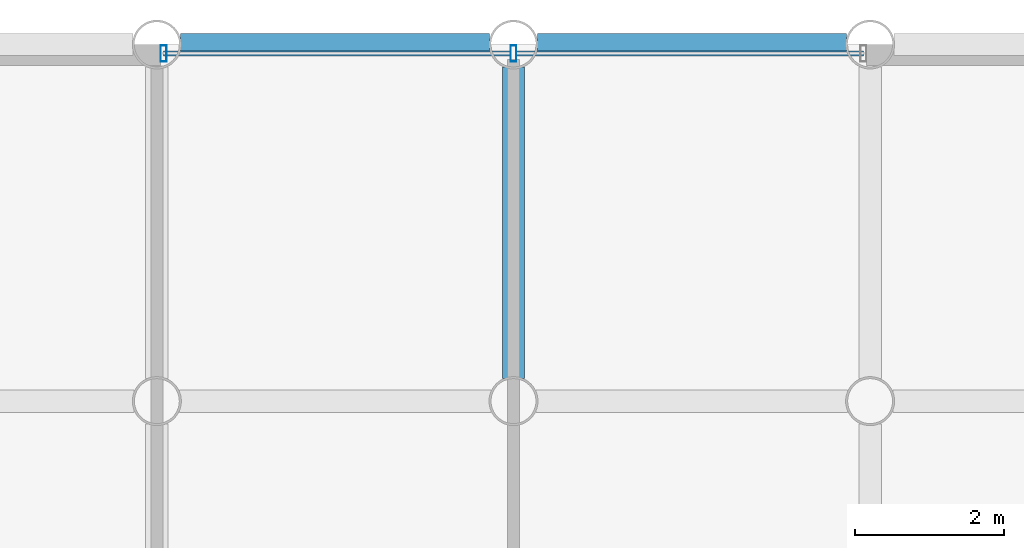
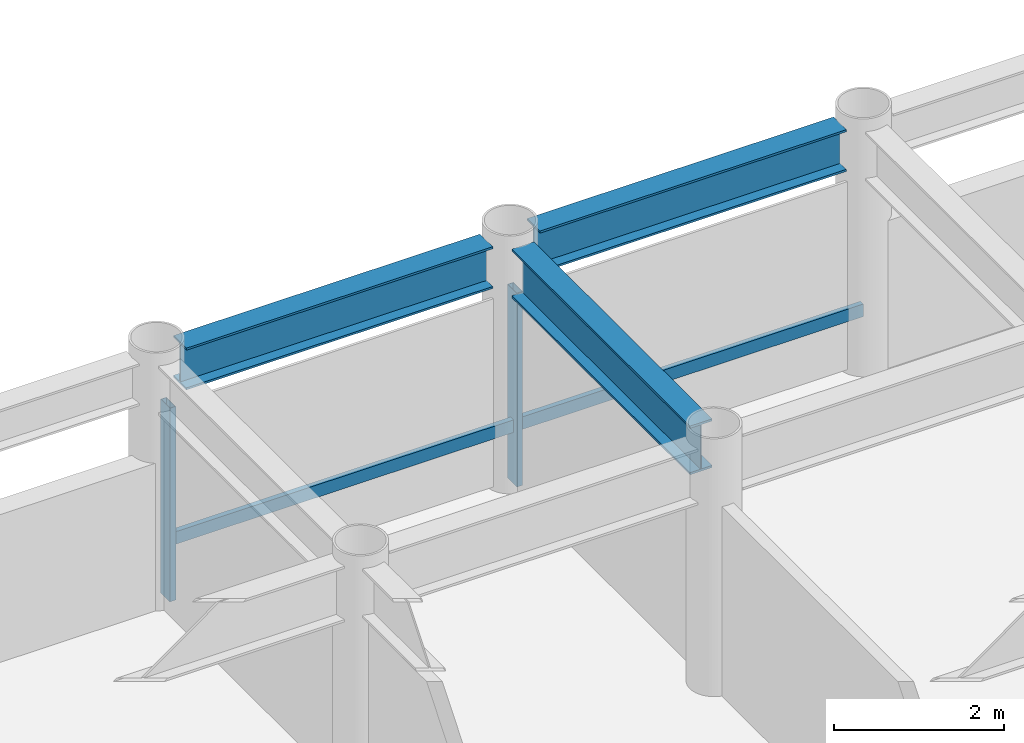
# One storey, part 12 of 20: 4 members, 3 beams, 1 element without a shape of its own.
"""IFC4 building model written with IfcOpenShell, lengths in metres."""

import ifcopenshell
import ifcopenshell.guid

model = None  # the IFC model being written
_history = None  # IfcOwnerHistory: only IFC2X3 demands one
_inside = {}  # id of a spatial element -> (the spatial element, [elements in it])
_under = {}  # id of a project, library or spatial element -> (it, [spatial elements below it])
_declared = {}  # id of a project -> (the project, [libraries it declares])
_typed = {}  # id of a type object -> (the type object, [elements of that type])
_made_of = {}  # id of a material, layer set ... -> (it, [elements and type objects made of it])


def new_model(schema):
    """Start an empty IFC model of exactly this schema.

    Asked for "IFC4X3", IfcOpenShell would pick the latest addendum, in which some entities
    have other attributes; the version numbers below select the first issue.
    IFC2X3 requires an IfcOwnerHistory on every rooted entity: one is made here for all.
    """
    global model, _history
    if schema == "IFC4X3":
        model = ifcopenshell.file(schema_version=(4, 3, 0, 0))
    else:
        model = ifcopenshell.file(schema=schema)
    _inside.clear()
    _under.clear()
    _declared.clear()
    _typed.clear()
    _made_of.clear()
    _history = None
    if model.schema == "IFC2X3":
        org = make("IfcOrganization", Name="unknown")
        user = make(
            "IfcPersonAndOrganization",
            ThePerson=make("IfcPerson", FamilyName="unknown"),
            TheOrganization=org,
        )
        app = make(
            "IfcApplication",
            ApplicationDeveloper=org,
            Version="unknown",
            ApplicationFullName="unknown",
            ApplicationIdentifier="unknown",
        )
        _history = make(
            "IfcOwnerHistory",
            OwningUser=user,
            OwningApplication=app,
            ChangeAction="ADDED",
            CreationDate=0,
        )
    return model


def make(cls, **values):
    """One entity of the class cls with the attributes given. An attribute that is None is left unset."""
    return model.create_entity(
        cls, **{name: value for name, value in values.items() if value is not None}
    )


def rooted(cls, **values):
    """An entity with a GlobalId (a new one), such as an element, a storey or a relation."""
    return make(cls, GlobalId=ifcopenshell.guid.new(), OwnerHistory=_history, **values)


def si_unit(unit_type, name, prefix=None):
    """IfcSIUnit, for example si_unit("LENGTHUNIT", "METRE", prefix="MILLI")."""
    return make("IfcSIUnit", UnitType=unit_type, Prefix=prefix, Name=name)


def assignment(units):
    """IfcUnitAssignment: the units of a project."""
    return None if units is None else make("IfcUnitAssignment", Units=units)


def point(xyz):
    """IfcCartesianPoint."""
    return None if xyz is None else make("IfcCartesianPoint", Coordinates=xyz)


def direction(xyz):
    """IfcDirection."""
    return None if xyz is None else make("IfcDirection", DirectionRatios=xyz)


def frame(location, z_axis=None, x_axis=None):
    """IfcAxis2Placement3D, a coordinate frame: its origin and axes. An axis left out is left unset."""
    return make(
        "IfcAxis2Placement3D",
        Location=point(location),
        Axis=direction(z_axis),
        RefDirection=direction(x_axis),
    )


def frame_2d(location, x_axis=None):
    """IfcAxis2Placement2D, a coordinate frame in the plane: its origin and x axis."""
    return make(
        "IfcAxis2Placement2D", Location=point(location), RefDirection=direction(x_axis)
    )


def origin():
    """The frame at (0, 0, 0) with its axes left unset."""
    return frame((0.0, 0.0, 0.0))


def origin_2d():
    """The frame at (0, 0) in the plane with its x axis left unset."""
    return frame_2d((0.0, 0.0))


def place(relative_to, where):
    """IfcLocalPlacement: puts the frame where relative to a parent placement (None: the world)."""
    return make(
        "IfcLocalPlacement", PlacementRelTo=relative_to, RelativePlacement=where
    )


def context(
    kind, dimensions, precision=None, world=None, true_north=None, identifier=None
):
    """IfcGeometricRepresentationContext, for example the 3D "Model" context."""
    return make(
        "IfcGeometricRepresentationContext",
        ContextIdentifier=identifier,
        ContextType=kind,
        CoordinateSpaceDimension=dimensions,
        Precision=precision,
        WorldCoordinateSystem=world,
        TrueNorth=true_north,
    )


def subcontext(parent, identifier, kind, view, scale=None):
    """IfcGeometricRepresentationSubContext, for example "Body" below "Model"."""
    return make(
        "IfcGeometricRepresentationSubContext",
        ContextIdentifier=identifier,
        ContextType=kind,
        ParentContext=parent,
        TargetScale=scale,
        TargetView=view,
    )


def project(units=None, contexts=None):
    """IfcProject with its units and contexts."""
    return rooted(
        "IfcProject",
        Name="project",
        RepresentationContexts=contexts,
        UnitsInContext=assignment(units),
    )


def spatial(cls, under=None, at=None, **own):
    """A site, building, storey or space (cls), placed at a placement, below another one or the project."""
    s = rooted(cls, ObjectPlacement=at, **own)
    if under is not None:
        _under.setdefault(under.id(), (under, []))[1].append(s)
    return s


def profile(cls, at=None, kind="AREA", **sizes):
    """A parametric profile (cls). Its sizes go by their IFC names, for example OverallWidth=200.0."""
    return make(cls, ProfileType=kind, Position=at, **sizes)


def hollow_rectangle(**sizes):
    """IfcRectangleHollowProfileDef."""
    return profile("IfcRectangleHollowProfileDef", **sizes)


def i_section(**sizes):
    """IfcIShapeProfileDef."""
    return profile("IfcIShapeProfileDef", **sizes)


def extrude(swept, where, along, depth):
    """IfcExtrudedAreaSolid: the profile swept, set in the frame where, extruded along a direction by depth."""
    return make(
        "IfcExtrudedAreaSolid",
        SweptArea=swept,
        Position=where,
        ExtrudedDirection=direction(along),
        Depth=depth,
    )


def shape(context_of_items, identifier, shape_type, items):
    """IfcShapeRepresentation: the items that make up one representation, for example the "Body"."""
    return make(
        "IfcShapeRepresentation",
        ContextOfItems=context_of_items,
        RepresentationIdentifier=identifier,
        RepresentationType=shape_type,
        Items=items,
    )


def material(Name=None, Category=None):
    """IfcMaterial."""
    return make("IfcMaterial", Name=Name, Category=Category)


def layer(
    of_material, thickness, ventilated=None, Name=None, Category=None, Priority=None
):
    """IfcMaterialLayer: one layer of a wall or slab, of a material (None: an air gap)."""
    return make(
        "IfcMaterialLayer",
        Material=of_material,
        LayerThickness=thickness,
        IsVentilated=ventilated,
        Name=Name,
        Category=Category,
        Priority=Priority,
    )


def layer_set(layers, Name=None):
    """IfcMaterialLayerSet."""
    return make("IfcMaterialLayerSet", MaterialLayers=layers, LayerSetName=Name)


def material_profile(
    of_material, cross_section, Name=None, Category=None, Priority=None
):
    """IfcMaterialProfile: a cross section and its material."""
    return make(
        "IfcMaterialProfile",
        Name=Name,
        Material=of_material,
        Profile=cross_section,
        Priority=Priority,
        Category=Category,
    )


def profile_set(profiles, Name=None, composite=None):
    """IfcMaterialProfileSet."""
    return make(
        "IfcMaterialProfileSet",
        Name=Name,
        MaterialProfiles=profiles,
        CompositeProfile=composite,
    )


def made_of(thing, what):
    """Note that an element or type object is made of a material, layer set ...; save() writes the relation."""
    if what is not None:
        _made_of.setdefault(what.id(), (what, []))[1].append(thing)
    return thing


def type_object(cls, material=None, **own):
    """A type object (cls), such as IfcWallType, which elements share."""
    return made_of(rooted(cls, **own), material)


def element(
    cls,
    number,
    at=None,
    inside=None,
    cuts=None,
    type_object=None,
    material=None,
    context=None,
    identifier="Body",
    shape_type=None,
    held_by="IfcProductDefinitionShape",
    body=None,
    shapes=None,
    **own,
):
    """One element of the class cls, such as IfcWall. Its Tag is "e" and its number.

    at: its placement. inside: the storey or other place that contains it. cuts: it is an
    opening in that element (IfcRelVoidsElement). A single representation is given by context,
    identifier, shape_type and body (its items); several are given by shapes. held_by: the class
    of the entity that holds the representations. save() writes the other relations.
    """
    e = rooted(cls, Tag="e%d" % number, ObjectPlacement=at, **own)
    if body is not None:
        shapes = [shape(context, identifier, shape_type, body)]
    if shapes is not None:
        e.Representation = make(held_by, Representations=shapes)
    if inside is not None:
        _inside.setdefault(inside.id(), (inside, []))[1].append(e)
    if cuts is not None:
        rooted(
            "IfcRelVoidsElement", RelatingBuildingElement=cuts, RelatedOpeningElement=e
        )
    if type_object is not None:
        _typed.setdefault(type_object.id(), (type_object, []))[1].append(e)
    return made_of(e, material)


def aggregate(whole, parts):
    """IfcRelAggregates: a whole, such as a stair, and the parts it consists of."""
    return rooted("IfcRelAggregates", RelatingObject=whole, RelatedObjects=parts)


def save(model, path):
    """Write the relations noted so far, then the file.

    IfcRelAggregates (storeys below a building ...), IfcRelContainedInSpatialStructure (elements
    in a storey), IfcRelDefinesByType, IfcRelAssociatesMaterial and IfcRelDeclares: one each for
    every whole, place, type object, material and project.
    """
    for whole, parts in _under.values():
        aggregate(whole, parts)
    for where, things in _inside.values():
        rooted(
            "IfcRelContainedInSpatialStructure",
            RelatedElements=things,
            RelatingStructure=where,
        )
    for kind, things in _typed.values():
        rooted("IfcRelDefinesByType", RelatedObjects=things, RelatingType=kind)
    for what, things in _made_of.values():
        rooted("IfcRelAssociatesMaterial", RelatedObjects=things, RelatingMaterial=what)
    for by, libraries in _declared.values():
        rooted("IfcRelDeclares", RelatingContext=by, RelatedDefinitions=libraries)
    model.write(path)


model = new_model("IFC4")

# Units and contexts
model_context = context("Model", 3, precision=1e-05, world=origin(), true_north=direction((0.0, 1.0)))
body_context = subcontext(model_context, "Body", "Model", "MODEL_VIEW")
ifc_project = project(units=[si_unit("LENGTHUNIT", "METRE"), si_unit("AREAUNIT", "SQUARE_METRE"), si_unit("VOLUMEUNIT", "CUBIC_METRE"), si_unit("PLANEANGLEUNIT", "RADIAN"), si_unit("MASSUNIT", "GRAM", prefix="KILO")], contexts=[model_context])

# Site, building, storey
site_placement = place(None, origin())
site = spatial("IfcSite", under=ifc_project, at=site_placement, CompositionType="ELEMENT")
building_placement = place(site_placement, origin())
building = spatial("IfcBuilding", under=site, at=building_placement, Name="Kallvorn Hotel Tower", CompositionType="ELEMENT")
storey_placement = place(building_placement, frame((0.0, 0.0, 98.89990234375)))
storey = spatial("IfcBuildingStorey", under=building, at=storey_placement, Name="L23", CompositionType="ELEMENT", Elevation=98.89990234375)

# Beams
ifc_material_1 = material(Name="Structural steel S355JR", Category="steel")
ifc_material_profile_1 = material_profile(ifc_material_1, i_section(OverallWidth=0.300048828125, OverallDepth=0.60009765625, WebThickness=0.015380859375, FlangeThickness=0.030029296875, at=origin_2d()), Name="HE 600 B")
ifc_profile_set_1 = profile_set([ifc_material_profile_1], Name="Structural steel S355JR")
beam_type_1 = type_object("IfcBeamType", Name="BM_HE600B", PredefinedType="SPANDREL", material=ifc_profile_set_1)
for number, where, z_axis, x_axis, name in (
    (1, (-4.47998046875, 24.0, 3.22021484375), (1.0, 0.0, 0.0), (0.0, 1.0, 0.0), "L24 Perimeter Spandrel 167"),
    (2, (0.320068359375, 24.0, 3.22021484375), (1.0, 0.0, 0.0), (0.0, 1.0, 0.0), "L24 Perimeter Spandrel 168"),
):
    element("IfcBeam", number, at=place(storey_placement, frame(where, z_axis=z_axis, x_axis=x_axis)), inside=storey, type_object=beam_type_1, Name=name, PredefinedType="SPANDREL", context=body_context, shape_type="SweptSolid", body=[
        extrude(i_section(OverallWidth=0.300048828125, OverallDepth=0.60009765625, WebThickness=0.015380859375, FlangeThickness=0.030029296875, at=origin_2d()), origin(), (0.0, 0.0, 1.0), 4.159912109375),
    ])
ifc_material_2 = material(Name="Structural steel S355JR", Category="steel")
ifc_material_profile_2 = material_profile(ifc_material_2, i_section(OverallWidth=0.300048828125, OverallDepth=0.699951171875, WebThickness=0.01708984375, FlangeThickness=0.031982421875, at=origin_2d()), Name="HE 700 B")
ifc_profile_set_2 = profile_set([ifc_material_profile_2], Name="Structural steel S355JR")
beam_type_2 = type_object("IfcBeamType", Name="BM_HE700B", PredefinedType="BEAM", material=ifc_profile_set_2)
beam_placement = place(storey_placement, frame((0.0, 19.5048828125, 3.170166015625), z_axis=(0.0, 1.0, 0.0), x_axis=(-1.0, 0.0, 0.0)))
element("IfcBeam", 3, at=beam_placement, inside=storey, type_object=beam_type_2, Name="L24 Primary Y-Girder 112", PredefinedType="BEAM", context=body_context, shape_type="SweptSolid", body=[
    extrude(i_section(OverallWidth=0.300048828125, OverallDepth=0.699951171875, WebThickness=0.01708984375, FlangeThickness=0.031982421875, at=origin_2d()), origin(), (0.0, 0.0, 1.0), 4.190185546875),
])

# Curtain wall, members
ifc_material_3 = material(Name="Thermally broken black-anodised aluminium AA 6063-T6", Category="aluminium")
ifc_layer = layer(ifc_material_3, 0.199951171875)
ifc_layer_set = layer_set([ifc_layer], Name="CW_SYS_3_HOTEL_LOW")
curtain_wall_type = type_object("IfcCurtainWallType", Name="CW_SYS_3_HOTEL_LOW", PredefinedType="USERDEFINED", material=ifc_layer_set)
curtain_wall_placement = place(storey_placement, origin())
curtain_wall = element("IfcCurtainWall", 4, at=curtain_wall_placement, inside=storey, type_object=curtain_wall_type, Name="L23 Dark-Glass Curtain Wall CW-L23-NC", ObjectType="UNITISED CURTAIN WALL", PredefinedType="USERDEFINED")
ifc_material_4 = material(Name="Thermally broken black-anodised aluminium AA 6063-T6", Category="aluminium")
ifc_material_profile_3 = material_profile(ifc_material_4, hollow_rectangle(XDim=0.080078125, YDim=0.219970703125, WallThickness=0.0048828125, at=origin_2d()), Name="MUL 220x80")
ifc_profile_set_3 = profile_set([ifc_material_profile_3], Name="Thermally broken black-anodised aluminium AA 6063-T6")
member_type_1 = type_object("IfcMemberType", Name="CW_MULLION_220x80", PredefinedType="MULLION", material=ifc_profile_set_3)
member_1_placement = place(storey_placement, frame((-4.7099609375, 23.8798828125, 0.02001953125), z_axis=(0.0, 0.0, 1.0), x_axis=(1.0, 0.0, 0.0)))
member_1 = element("IfcMember", 5, at=member_1_placement, type_object=member_type_1, Name="CW-L23-NC Mullion 00", PredefinedType="MULLION", context=body_context, shape_type="SweptSolid", body=[
    extrude(hollow_rectangle(XDim=0.080078125, YDim=0.219970703125, WallThickness=0.0048828125, at=origin_2d()), origin(), (0.0, 0.0, 1.0), 2.780029296875),
])
member_2_placement = place(storey_placement, frame((0.0, 23.8798828125, 0.02001953125), z_axis=(0.0, 0.0, 1.0), x_axis=(1.0, 0.0, 0.0)))
member_2 = element("IfcMember", 6, at=member_2_placement, type_object=member_type_1, Name="CW-L23-NC Mullion 01", PredefinedType="MULLION", context=body_context, shape_type="SweptSolid", body=[
    extrude(hollow_rectangle(XDim=0.080078125, YDim=0.219970703125, WallThickness=0.0048828125, at=origin_2d()), origin(), (0.0, 0.0, 1.0), 2.780029296875),
])
ifc_material_5 = material(Name="Thermally broken black-anodised aluminium AA 6063-T6", Category="aluminium")
ifc_material_profile_4 = material_profile(ifc_material_5, hollow_rectangle(XDim=0.070068359375, YDim=0.179931640625, WallThickness=0.00390625, at=origin_2d()), Name="TRN 180x70")
ifc_profile_set_4 = profile_set([ifc_material_profile_4], Name="Thermally broken black-anodised aluminium AA 6063-T6")
member_type_2 = type_object("IfcMemberType", Name="CW_TRANSOM_180x70", PredefinedType="USERDEFINED", material=ifc_profile_set_4)
member_3_placement = place(storey_placement, frame((-4.7099609375, 23.8798828125, 0.85009765625), z_axis=(1.0, 0.0, 0.0), x_axis=(0.0, 1.0, 0.0)))
member_3 = element("IfcMember", 7, at=member_3_placement, type_object=member_type_2, Name="CW-L23-NC Transom 00M", ObjectType="TRANSOM", PredefinedType="USERDEFINED", context=body_context, shape_type="SweptSolid", body=[
    extrude(hollow_rectangle(XDim=0.070068359375, YDim=0.179931640625, WallThickness=0.00390625, at=origin_2d()), origin(), (0.0, 0.0, 1.0), 4.669921875),
])
member_4_placement = place(storey_placement, frame((0.0400390625, 23.8798828125, 0.85009765625), z_axis=(1.0, 0.0, 0.0), x_axis=(0.0, 1.0, 0.0)))
member_4 = element("IfcMember", 8, at=member_4_placement, type_object=member_type_2, Name="CW-L23-NC Transom 01M", ObjectType="TRANSOM", PredefinedType="USERDEFINED", context=body_context, shape_type="SweptSolid", body=[
    extrude(hollow_rectangle(XDim=0.070068359375, YDim=0.179931640625, WallThickness=0.00390625, at=origin_2d()), origin(), (0.0, 0.0, 1.0), 4.669921875),
])
aggregate(curtain_wall, [member_1, member_2, member_3, member_4])

save(model, "model.ifc")
